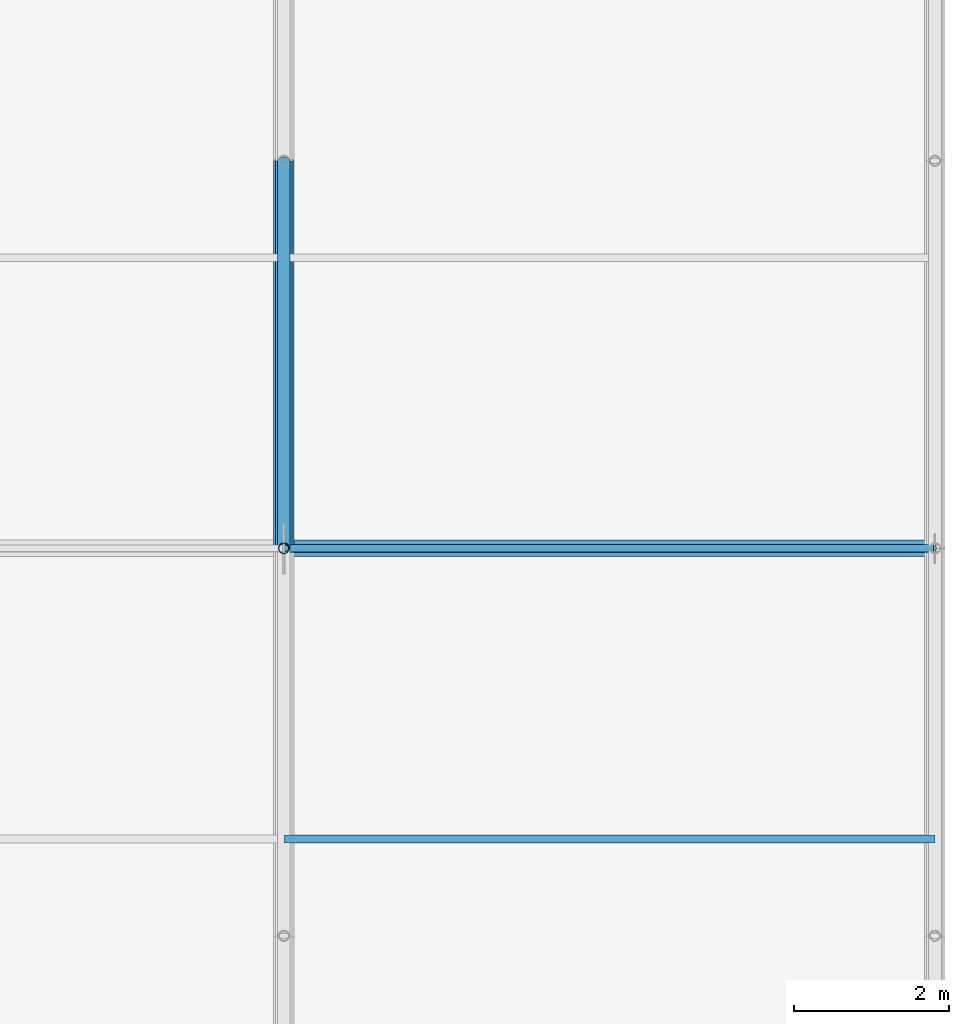
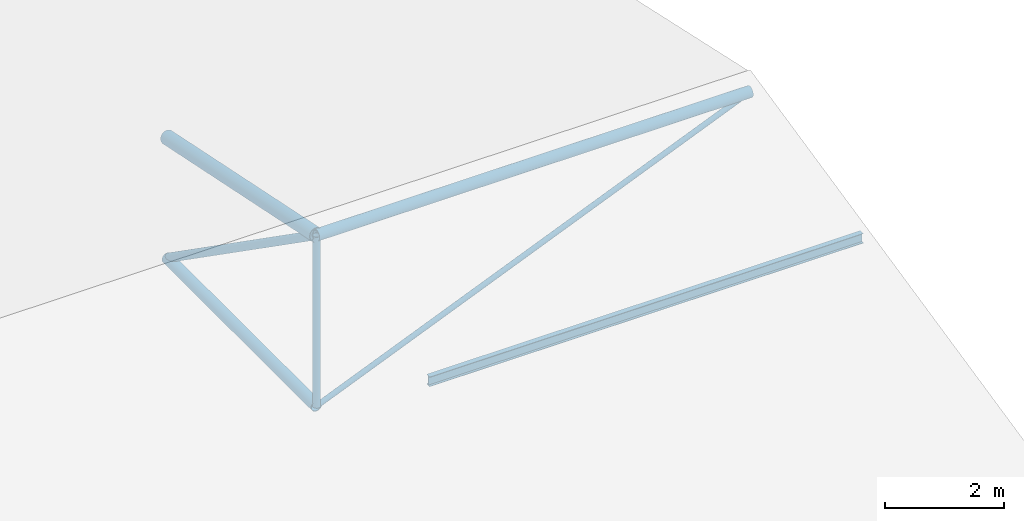
# One storey, part 87 of 194: 6 members, 1 beam.
"""IFC4 building model written with IfcOpenShell, lengths in metres."""

from ifc_helpers import new_model, si_unit, direction, frame, origin, origin_2d, place, context, subcontext, project, spatial, hollow_circle, i_section, extrude, material, material_profile, profile_set, type_object, element, save


model = new_model("IFC4")

# Units and contexts
model_context = context("Model", 3, precision=1e-05, world=origin(), true_north=direction((0.0, 1.0)))
body_context = subcontext(model_context, "Body", "Model", "MODEL_VIEW")
ifc_project = project(units=[si_unit("LENGTHUNIT", "METRE"), si_unit("AREAUNIT", "SQUARE_METRE"), si_unit("VOLUMEUNIT", "CUBIC_METRE"), si_unit("PLANEANGLEUNIT", "RADIAN"), si_unit("MASSUNIT", "GRAM", prefix="KILO")], contexts=[model_context])

# Site, building, storey
site_placement = place(None, origin())
site = spatial("IfcSite", under=ifc_project, at=site_placement, CompositionType="ELEMENT")
building_placement = place(site_placement, origin())
building = spatial("IfcBuilding", under=site, at=building_placement, Name="Kazenagashi Tramway Depot", CompositionType="ELEMENT")
storey_placement = place(building_placement, frame((0.0, 0.0, 23.7)))
storey = spatial("IfcBuildingStorey", under=building, at=storey_placement, Name="ROOF", CompositionType="ELEMENT", Elevation=23.7)

# Beam
ifc_material_1 = material(Name="Steel SN400B", Category="steel")
ifc_material_profile_1 = material_profile(ifc_material_1, i_section(OverallWidth=0.1, OverallDepth=0.2, WebThickness=0.0055, FlangeThickness=0.008, at=origin_2d()), Name="H-200x100x5.5x8")
ifc_profile_set_1 = profile_set([ifc_material_profile_1], Name="Steel SN400B")
beam_type = type_object("IfcBeamType", Name="PR-01", PredefinedType="USERDEFINED", material=ifc_profile_set_1)
beam_placement = place(storey_placement, frame((187.6, 81.25, -11.305), z_axis=(1.0, 0.0, 0.0), x_axis=(0.0, 1.0, 0.0)))
element("IfcBeam", 1, at=beam_placement, inside=storey, type_object=beam_type, Name="Beam PR-01 BM-2071", ObjectType="PURLIN", PredefinedType="USERDEFINED", context=body_context, shape_type="SweptSolid", body=[
    extrude(i_section(OverallWidth=0.1, OverallDepth=0.2, WebThickness=0.0055, FlangeThickness=0.008, at=origin_2d()), origin(), (0.0, 0.0, 1.0), 8.4),
])

# Members
ifc_material_2 = material(Name="Steel STK490", Category="steel")
ifc_material_profile_2 = material_profile(ifc_material_2, hollow_circle(Radius=0.1337, WallThickness=0.0093, at=origin_2d()), Name="CHS-267.4x9.3")
ifc_profile_set_2 = profile_set([ifc_material_profile_2], Name="Steel STK490")
member_type_1 = type_object("IfcMemberType", Name="TC-01", PredefinedType="CHORD", material=ifc_profile_set_2)
member_1_placement = place(storey_placement, frame((187.6, 85.0, -10.6), z_axis=(0.0, 0.979317999984, -0.202327098797), x_axis=(-1.0, 0.0, 0.0)))
element("IfcMember", 2, at=member_1_placement, inside=storey, type_object=member_type_1, Name="Tubular Space Frame TC-01 MEM-1047", PredefinedType="CHORD", context=body_context, shape_type="SweptSolid", body=[
    extrude(hollow_circle(Radius=0.1337, WallThickness=0.0093, at=origin_2d()), origin(), (0.0, 0.0, 1.0), 5.105594),
])
ifc_material_profile_3 = material_profile(ifc_material_2, hollow_circle(Radius=0.10815, WallThickness=0.0082, at=origin_2d()), Name="CHS-216.3x8.2")
ifc_profile_set_3 = profile_set([ifc_material_profile_3], Name="Steel STK490")
member_type_2 = type_object("IfcMemberType", Name="TC-02", PredefinedType="CHORD", material=ifc_profile_set_3)
member_2_placement = place(storey_placement, frame((187.6, 85.0, -14.1), z_axis=(0.0, 1.0, 0.0), x_axis=(-1.0, 0.0, 0.0)))
element("IfcMember", 3, at=member_2_placement, inside=storey, type_object=member_type_2, Name="Tubular Space Frame TC-02 MEM-1048", PredefinedType="CHORD", context=body_context, shape_type="SweptSolid", body=[
    extrude(hollow_circle(Radius=0.10815, WallThickness=0.0082, at=origin_2d()), origin(), (0.0, 0.0, 1.0), 5.0),
])
member_3_placement = place(storey_placement, frame((187.6, 85.0, -10.6), z_axis=(1.0, 0.0, 0.0), x_axis=(0.0, 1.0, 0.0)))
element("IfcMember", 4, at=member_3_placement, inside=storey, type_object=member_type_2, Name="Tubular Space Frame TC-02 MEM-1065", PredefinedType="CHORD", context=body_context, shape_type="SweptSolid", body=[
    extrude(hollow_circle(Radius=0.10815, WallThickness=0.0082, at=origin_2d()), origin(), (0.0, 0.0, 1.0), 8.4),
])
ifc_material_profile_4 = material_profile(ifc_material_2, hollow_circle(Radius=0.0826, WallThickness=0.0071, at=origin_2d()), Name="CHS-165.2x7.1")
ifc_profile_set_4 = profile_set([ifc_material_profile_4], Name="Steel STK490")
member_type_3 = type_object("IfcMemberType", Name="TS-01", PredefinedType="STRUT", material=ifc_profile_set_4)
member_4_placement = place(storey_placement, frame((187.6, 85.0, -10.6), z_axis=(0.0, 0.819231920519, -0.573462344363), x_axis=(-1.0, 0.0, 0.0)))
element("IfcMember", 5, at=member_4_placement, inside=storey, type_object=member_type_3, Name="Tubular Space Frame TS-01 MEM-1049", PredefinedType="STRUT", context=body_context, shape_type="SweptSolid", body=[
    extrude(hollow_circle(Radius=0.0826, WallThickness=0.0071, at=origin_2d()), origin(), (0.0, 0.0, 1.0), 6.103278),
])
ifc_material_profile_5 = material_profile(ifc_material_2, hollow_circle(Radius=0.0699, WallThickness=0.0066, at=origin_2d()), Name="CHS-139.8x6.6")
ifc_profile_set_5 = profile_set([ifc_material_profile_5], Name="Steel STK490")
member_type_4 = type_object("IfcMemberType", Name="TS-02", PredefinedType="STRUT", material=ifc_profile_set_5)
member_5_placement = place(storey_placement, frame((187.6, 85.0, -14.1), z_axis=(0.0, 0.0, 1.0), x_axis=(1.0, 0.0, 0.0)))
element("IfcMember", 6, at=member_5_placement, inside=storey, type_object=member_type_4, Name="Tubular Space Frame TS-02 MEM-1059", PredefinedType="STRUT", context=body_context, shape_type="SweptSolid", body=[
    extrude(hollow_circle(Radius=0.0699, WallThickness=0.0066, at=origin_2d()), origin(), (0.0, 0.0, 1.0), 3.5),
])
ifc_material_3 = material(Name="Steel STK400", Category="steel")
ifc_material_profile_6 = material_profile(ifc_material_3, hollow_circle(Radius=0.0508, WallThickness=0.0042, at=origin_2d()), Name="CHS-101.6x4.2")
ifc_profile_set_6 = profile_set([ifc_material_profile_6], Name="Steel STK400")
member_type_5 = type_object("IfcMemberType", Name="TS-06", PredefinedType="STRUT", material=ifc_profile_set_6)
member_6_placement = place(storey_placement, frame((187.6, 85.0, -14.1), z_axis=(0.923076923077, 0.0, 0.384615384615), x_axis=(0.0, 1.0, 0.0)))
element("IfcMember", 7, at=member_6_placement, inside=storey, type_object=member_type_5, Name="Tubular Space Frame TS-06 MEM-1066", PredefinedType="STRUT", context=body_context, shape_type="SweptSolid", body=[
    extrude(hollow_circle(Radius=0.0508, WallThickness=0.0042, at=origin_2d()), origin(), (0.0, 0.0, 1.0), 9.1),
])

save(model, "model.ifc")
